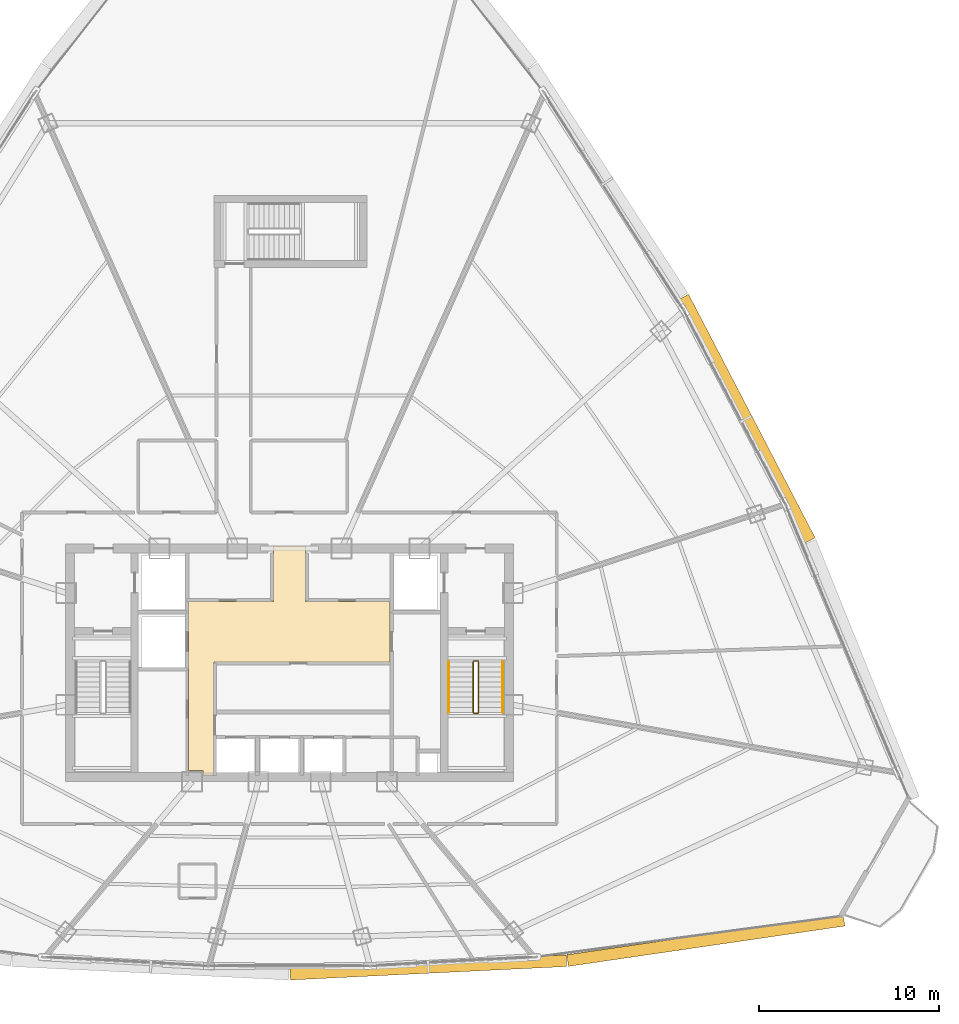
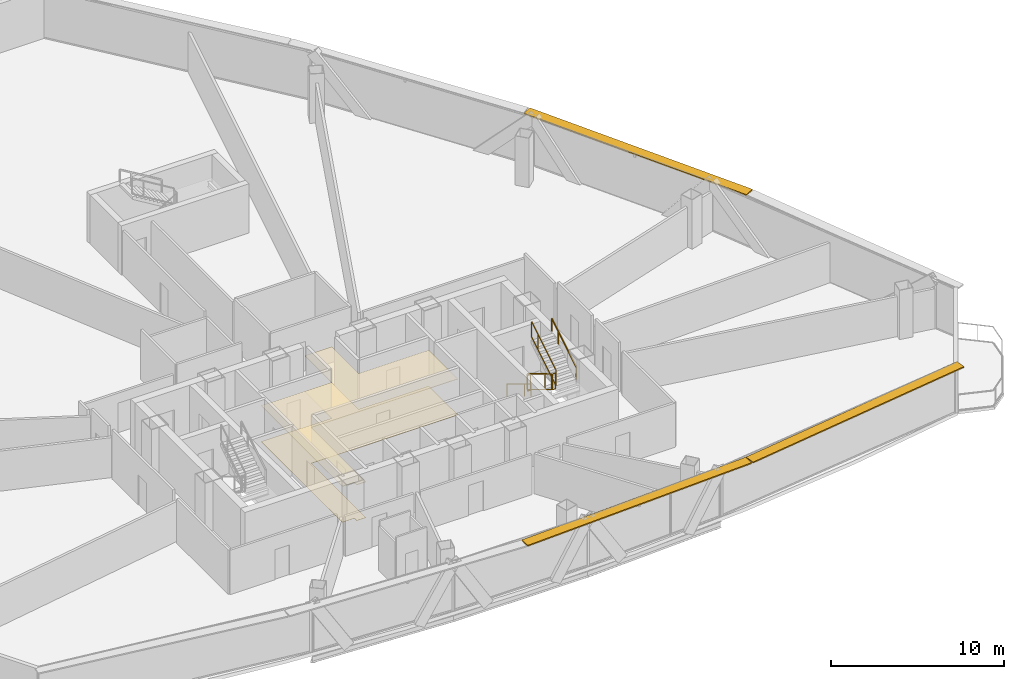
# One storey, part 35 of 37: 6 railings, 3 shading devices, 2 coverings.
"""IFC4 building model written with IfcOpenShell, lengths in metres."""

from ifc_helpers import new_model, si_unit, direction, frame, origin, origin_2d, place, context, subcontext, project, spatial, polyline, rectangle, outline, extrude, source, transform, mapped, material, layer, layer_set, type_object, element, save


model = new_model("IFC4")

# Units and contexts
model_context = context("Model", 3, precision=1e-05, world=origin(), true_north=direction((0.0, 1.0)))
body_context = subcontext(model_context, "Body", "Model", "MODEL_VIEW")
ifc_project = project(units=[si_unit("LENGTHUNIT", "METRE"), si_unit("AREAUNIT", "SQUARE_METRE"), si_unit("VOLUMEUNIT", "CUBIC_METRE"), si_unit("PLANEANGLEUNIT", "RADIAN"), si_unit("MASSUNIT", "GRAM", prefix="KILO"), si_unit("THERMODYNAMICTEMPERATUREUNIT", "KELVIN"), si_unit("POWERUNIT", "WATT")], contexts=[model_context])

# Site, building, storey
site_placement = place(None, origin())
site = spatial("IfcSite", under=ifc_project, at=site_placement, CompositionType="ELEMENT")
building_placement = place(site_placement, origin())
building = spatial("IfcBuilding", under=site, at=building_placement, Name="Yunzhuo Pagoda Commons", CompositionType="ELEMENT")
storey_placement = place(building_placement, frame((0.0, 0.0, 251.989990234375)))
storey = spatial("IfcBuildingStorey", under=building, at=storey_placement, Name="L63", CompositionType="ELEMENT", Elevation=251.989990234375)

# Coverings
ifc_material_1 = material(Name="Perforated gypsum acoustic ceiling tile")
ifc_layer_1 = layer(ifc_material_1, 0.030029296875)
ifc_layer_set_1 = layer_set([ifc_layer_1], Name="Perforated gypsum acoustic ceiling tile")
covering_type_1 = type_object("IfcCoveringType", Name="COV-CL2 Ceiling 30", PredefinedType="CEILING", material=ifc_layer_set_1)
covering_1_placement = place(storey_placement, frame((0.0, 0.0, 2.52001953125)))
element("IfcCovering", 1, at=covering_1_placement, inside=storey, type_object=covering_type_1, Name="L63 lift lobby acoustic ceiling", PredefinedType="CEILING", context=body_context, shape_type="SweptSolid", body=[
    extrude(outline(polyline([(43.207763671875, 27.85009765625), (43.201904296875, 27.864013671875), (43.187744140625, 27.8701171875), (42.39990234375, 27.8701171875), (42.39990234375, 33.89990234375), (42.39990234375, 37.25), (47.10009765625, 37.25), (47.10009765625, 40.35009765625), (48.89990234375, 40.35009765625), (48.89990234375, 37.25), (53.580078125, 37.25), (53.580078125, 33.89990234375), (43.820068359375, 33.89990234375), (43.820068359375, 27.60009765625), (43.207763671875, 27.60009765625), (43.207763671875, 27.85009765625)])), origin(), (0.0, 0.0, 1.0), 0.030029296875),
])
ifc_material_2 = material(Name="Resilient acoustic studio flooring")
ifc_layer_2 = layer(ifc_material_2, 0.01806640625)
ifc_layer_set_2 = layer_set([ifc_layer_2], Name="Resilient acoustic studio flooring")
covering_type_2 = type_object("IfcCoveringType", Name="COV-FL3 Flooring 18", PredefinedType="FLOORING", material=ifc_layer_set_2)
covering_2_placement = place(storey_placement, origin())
element("IfcCovering", 2, at=covering_2_placement, inside=storey, type_object=covering_type_2, Name="L63 lift lobby flooring", PredefinedType="FLOORING", context=body_context, shape_type="SweptSolid", body=[
    extrude(outline(polyline([(43.207763671875, 27.85009765625), (43.201904296875, 27.864013671875), (43.187744140625, 27.8701171875), (42.39990234375, 27.8701171875), (42.39990234375, 33.89990234375), (42.39990234375, 37.25), (47.10009765625, 37.25), (47.10009765625, 40.35009765625), (48.89990234375, 40.35009765625), (48.89990234375, 37.25), (53.580078125, 37.25), (53.580078125, 33.89990234375), (43.820068359375, 33.89990234375), (43.820068359375, 27.60009765625), (43.207763671875, 27.60009765625), (43.207763671875, 27.85009765625)])), origin(), (0.0, 0.0, 1.0), 0.01806640625),
])

# Railings
ifc_material_3 = material(Name="Anodized aluminium 6063-T6", Category="aluminium")
railing_type_1 = type_object("IfcRailingType", Name="GR-ST2 Stair Well Guardrail 1160", PredefinedType="GUARDRAIL", material=ifc_material_3)
railing_1_placement = place(storey_placement, frame((58.199951171875, 33.89990234375, 0.16943359375)))
element("IfcRailing", 3, at=railing_1_placement, inside=storey, type_object=railing_type_1, Name="L63 ST2 stair guard 1", PredefinedType="GUARDRAIL", context=body_context, shape_type="SweptSolid", body=[
    extrude(rectangle(XDim=0.048095703125, YDim=0.048095703125, at=origin_2d()), frame((0.0, 0.0, 1.1259765625), z_axis=(0.0, -0.855373106579, 0.518012401918), x_axis=(1.0, 0.0, 0.0)), (0.0, 0.0, 1.0), 3.273193359375),
    extrude(rectangle(XDim=0.048095703125, YDim=0.048095703125, at=origin_2d()), frame((0.0, 0.0, 0.02392578125), z_axis=(0.0, -0.855373106579, 0.518012401918), x_axis=(1.0, 0.0, 0.0)), (0.0, 0.0, 1.0), 3.273193359375),
    extrude(rectangle(XDim=0.0419921875, YDim=0.0419921875, at=origin_2d()), origin(), (0.0, 0.0, 1.0), 1.101806640625),
    extrude(rectangle(XDim=0.0419921875, YDim=0.0419921875, at=origin_2d()), frame((0.0, -2.052978515625, 1.2431640625)), (0.0, 0.0, 1.0), 1.101806640625),
    extrude(rectangle(XDim=0.0419921875, YDim=0.0419921875, at=origin_2d()), frame((0.0, -2.7998046875, 1.695556640625)), (0.0, 0.0, 1.0), 1.101806640625),
])
railing_2_placement = place(storey_placement, frame((58.25, 31.050048828125, 1.864990234375)))
element("IfcRailing", 4, at=railing_2_placement, inside=storey, type_object=railing_type_1, Name="L63 ST2 stair guard 2", PredefinedType="GUARDRAIL", context=body_context, shape_type="SweptSolid", body=[
    extrude(rectangle(XDim=0.048095703125, YDim=0.048095703125, at=origin_2d()), frame((0.0, 0.0, 1.1259765625), z_axis=(1.0, 0.0, 0.0), x_axis=(0.0, 1.0, 0.0)), (0.0, 0.0, 1.0), 0.199951171875),
    extrude(rectangle(XDim=0.048095703125, YDim=0.048095703125, at=origin_2d()), frame((0.0, 0.0, 0.02392578125), z_axis=(1.0, 0.0, 0.0), x_axis=(0.0, 1.0, 0.0)), (0.0, 0.0, 1.0), 0.199951171875),
    extrude(rectangle(XDim=0.0419921875, YDim=0.0419921875, at=origin_2d()), origin(), (0.0, 0.0, 1.0), 1.101806640625),
    extrude(rectangle(XDim=0.0419921875, YDim=0.0419921875, at=origin_2d()), frame((0.199951171875, 0.0, 0.0)), (0.0, 0.0, 1.0), 1.101806640625),
])
railing_3_placement = place(storey_placement, frame((58.5, 31.10009765625, 2.03466796875)))
element("IfcRailing", 5, at=railing_3_placement, inside=storey, type_object=railing_type_1, Name="L63 ST2 stair guard 3", PredefinedType="GUARDRAIL", context=body_context, shape_type="SweptSolid", body=[
    extrude(rectangle(XDim=0.048095703125, YDim=0.048095703125, at=origin_2d()), frame((0.0, 0.0, 1.1259765625), z_axis=(0.0, 0.855406155521, 0.517957825596), x_axis=(-1.0, 0.0, 0.0)), (0.0, 0.0, 1.0), 3.27294921875),
    extrude(rectangle(XDim=0.048095703125, YDim=0.048095703125, at=origin_2d()), frame((0.0, 0.0, 0.02392578125), z_axis=(0.0, 0.855406155521, 0.517957825596), x_axis=(-1.0, 0.0, 0.0)), (0.0, 0.0, 1.0), 3.27294921875),
    extrude(rectangle(XDim=0.0419921875, YDim=0.0419921875, at=origin_2d()), origin(), (0.0, 0.0, 1.0), 1.101806640625),
    extrude(rectangle(XDim=0.0419921875, YDim=0.0419921875, at=origin_2d()), frame((0.0, 2.052978515625, 1.2431640625)), (0.0, 0.0, 1.0), 1.101806640625),
    extrude(rectangle(XDim=0.0419921875, YDim=0.0419921875, at=origin_2d()), frame((0.0, 2.7998046875, 1.6953125)), (0.0, 0.0, 1.0), 1.101806640625),
])
railing_4_placement = place(storey_placement, frame((58.25, 33.949951171875, 0.0)))
element("IfcRailing", 6, at=railing_4_placement, inside=storey, type_object=railing_type_1, Name="L63 ST2 stair guard 4", PredefinedType="GUARDRAIL", context=body_context, shape_type="SweptSolid", body=[
    extrude(rectangle(XDim=0.048095703125, YDim=0.048095703125, at=origin_2d()), frame((0.0, 0.0, 1.1259765625), z_axis=(1.0, 0.0, 0.0), x_axis=(0.0, 1.0, 0.0)), (0.0, 0.0, 1.0), 0.199951171875),
    extrude(rectangle(XDim=0.048095703125, YDim=0.048095703125, at=origin_2d()), frame((0.0, 0.0, 0.02392578125), z_axis=(1.0, 0.0, 0.0), x_axis=(0.0, 1.0, 0.0)), (0.0, 0.0, 1.0), 0.199951171875),
    extrude(rectangle(XDim=0.0419921875, YDim=0.0419921875, at=origin_2d()), origin(), (0.0, 0.0, 1.0), 1.101806640625),
    extrude(rectangle(XDim=0.0419921875, YDim=0.0419921875, at=origin_2d()), frame((0.199951171875, 0.0, 0.0)), (0.0, 0.0, 1.0), 1.101806640625),
])
railing_type_2 = type_object("IfcRailingType", Name="HR-ST2 Stair Handrail 900", PredefinedType="HANDRAIL", material=ifc_material_3)
railing_5_placement = place(storey_placement, frame((56.85009765625, 33.89990234375, 0.16943359375)))
element("IfcRailing", 7, at=railing_5_placement, inside=storey, type_object=railing_type_2, Name="L63 ST2 stair handrail 1", PredefinedType="HANDRAIL", context=body_context, shape_type="SweptSolid", body=[
    extrude(rectangle(XDim=0.048095703125, YDim=0.048095703125, at=origin_2d()), frame((0.0, 0.0, 0.8759765625), z_axis=(0.0, -0.855373106579, 0.518012401918), x_axis=(1.0, 0.0, 0.0)), (0.0, 0.0, 1.0), 3.273193359375),
    extrude(rectangle(XDim=0.0419921875, YDim=0.0419921875, at=origin_2d()), origin(), (0.0, 0.0, 1.0), 0.851806640625),
    extrude(rectangle(XDim=0.0419921875, YDim=0.0419921875, at=origin_2d()), frame((0.0, -2.052978515625, 1.2431640625)), (0.0, 0.0, 1.0), 0.851806640625),
    extrude(rectangle(XDim=0.0419921875, YDim=0.0419921875, at=origin_2d()), frame((0.0, -2.7998046875, 1.695556640625)), (0.0, 0.0, 1.0), 0.851806640625),
])
railing_6_placement = place(storey_placement, frame((59.85009765625, 31.10009765625, 2.03466796875)))
element("IfcRailing", 8, at=railing_6_placement, inside=storey, type_object=railing_type_2, Name="L63 ST2 stair handrail 2", PredefinedType="HANDRAIL", context=body_context, shape_type="SweptSolid", body=[
    extrude(rectangle(XDim=0.048095703125, YDim=0.048095703125, at=origin_2d()), frame((0.0, 0.0, 0.8759765625), z_axis=(0.0, 0.855406155521, 0.517957825596), x_axis=(-1.0, 0.0, 0.0)), (0.0, 0.0, 1.0), 3.27294921875),
    extrude(rectangle(XDim=0.0419921875, YDim=0.0419921875, at=origin_2d()), origin(), (0.0, 0.0, 1.0), 0.851806640625),
    extrude(rectangle(XDim=0.0419921875, YDim=0.0419921875, at=origin_2d()), frame((0.0, 2.052978515625, 1.2431640625)), (0.0, 0.0, 1.0), 0.851806640625),
    extrude(rectangle(XDim=0.0419921875, YDim=0.0419921875, at=origin_2d()), frame((0.0, 2.7998046875, 1.6953125)), (0.0, 0.0, 1.0), 0.851806640625),
])

# Shading devices
ifc_layer_3 = layer(ifc_material_3, 0.080078125)
ifc_layer_set_3 = layer_set([ifc_layer_3], Name="Anodized aluminium 6063-T6")
shading_device_type = type_object("IfcShadingDeviceType", Name="SH-SUN1 Pagoda Horizontal Sunshade Eave 650", PredefinedType="USERDEFINED", material=ifc_layer_set_3)
shared_shape_1 = source(origin(), body_context, "Body", "SweptSolid", [
    extrude(rectangle(XDim=15.368408203125, YDim=0.64990234375, at=origin_2d()), origin(), (0.0, 0.0, 1.0), 0.080078125),
])
shading_device_1_placement = place(storey_placement, frame((55.706787109375, 16.93310546875, 3.389892578125), z_axis=(0.0, 0.0, 1.0), x_axis=(0.998818043775, 0.04860571396, 0.0)))
element("IfcShadingDevice", 9, at=shading_device_1_placement, inside=storey, type_object=shading_device_type, Name="L63 horizontal pagoda sunshade eave F1.3", ObjectType="SUNSHADE", PredefinedType="USERDEFINED", context=body_context, shape_type="MappedRepresentation", body=[
    mapped(shared_shape_1, transform((0.0, 0.0, 0.0), scale=1.0)),
])
shared_shape_2 = source(origin(), body_context, "Body", "SweptSolid", [
    extrude(rectangle(XDim=15.51318359375, YDim=0.64990234375, at=origin_2d()), origin(), (0.0, 0.0, 1.0), 0.080078125),
])
shading_device_2_placement = place(storey_placement, frame((71.1201171875, 18.43310546875, 3.389892578125), z_axis=(0.0, 0.0, 1.0), x_axis=(0.989510666697, 0.144459823108, 0.0)))
element("IfcShadingDevice", 10, at=shading_device_2_placement, inside=storey, type_object=shading_device_type, Name="L63 horizontal pagoda sunshade eave F1.4", ObjectType="SUNSHADE", PredefinedType="USERDEFINED", context=body_context, shape_type="MappedRepresentation", body=[
    mapped(shared_shape_2, transform((0.0, 0.0, 0.0), scale=1.0)),
])
shared_shape_3 = source(origin(), body_context, "Body", "SweptSolid", [
    extrude(rectangle(XDim=15.242431640625, YDim=0.64990234375, at=origin_2d()), origin(), (0.0, 0.0, 1.0), 0.080078125),
])
shading_device_3_placement = place(storey_placement, frame((73.390869140625, 47.40283203125, 3.389892578125), z_axis=(0.0, 0.0, 1.0), x_axis=(-0.461206683033, 0.88729273384, 0.0)))
element("IfcShadingDevice", 11, at=shading_device_3_placement, inside=storey, type_object=shading_device_type, Name="L63 horizontal pagoda sunshade eave F2.2", ObjectType="SUNSHADE", PredefinedType="USERDEFINED", context=body_context, shape_type="MappedRepresentation", body=[
    mapped(shared_shape_3, transform((0.0, 0.0, 0.0), scale=1.0)),
])

save(model, "model.ifc")
